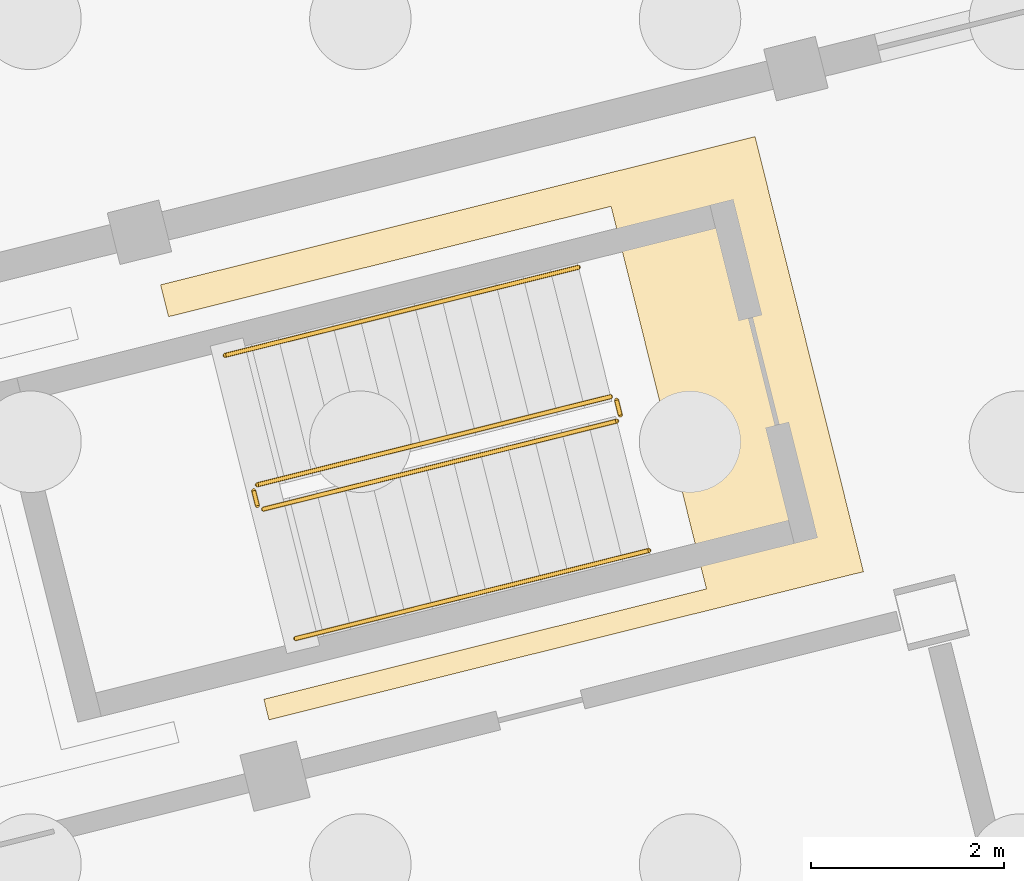
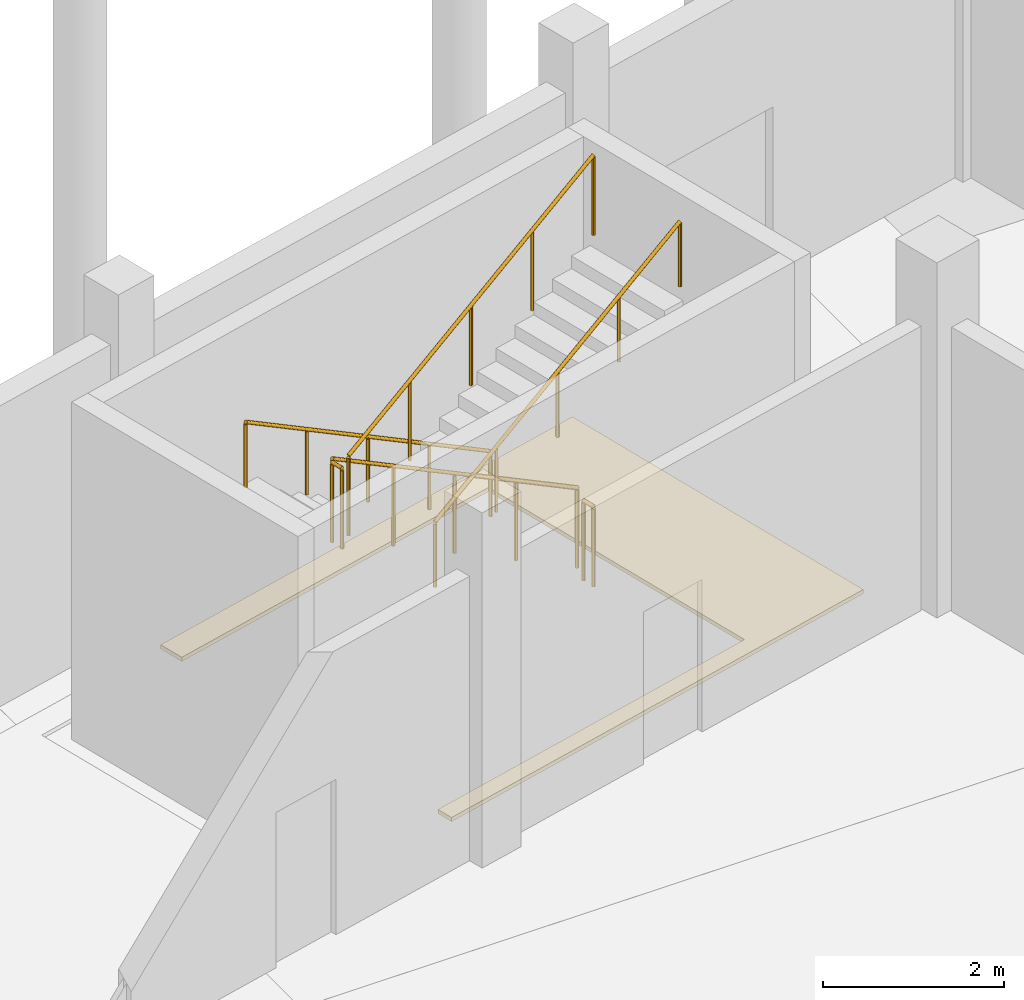
# One storey, part 64 of 72: 6 railings, 1 covering.
"""IFC4 building model written with IfcOpenShell, lengths in metres."""

from ifc_helpers import new_model, si_unit, direction, frame, origin, origin_2d, place, context, subcontext, project, spatial, polyline, circle, outline, extrude, material, layer, layer_set, type_object, element, save


model = new_model("IFC4")

# Units and contexts
model_context = context("Model", 3, precision=1e-05, world=origin(), true_north=direction((0.0, 1.0)))
body_context = subcontext(model_context, "Body", "Model", "MODEL_VIEW")
ifc_project = project(units=[si_unit("LENGTHUNIT", "METRE"), si_unit("AREAUNIT", "SQUARE_METRE"), si_unit("VOLUMEUNIT", "CUBIC_METRE"), si_unit("PLANEANGLEUNIT", "RADIAN"), si_unit("MASSUNIT", "GRAM", prefix="KILO")], contexts=[model_context])

# Site, building, storey
site_placement = place(None, origin())
site = spatial("IfcSite", under=ifc_project, at=site_placement, CompositionType="ELEMENT")
building_placement = place(site_placement, origin())
building = spatial("IfcBuilding", under=site, at=building_placement, Name="Cinderway Yard Community Centre", CompositionType="ELEMENT")
storey_placement = place(building_placement, origin())
storey = spatial("IfcBuildingStorey", under=building, at=storey_placement, Name="L00", CompositionType="ELEMENT", Elevation=0.0)

# Covering
ifc_material_1 = material(Name="Sprung Hardwood Court Floor", Category="wood")
ifc_layer = layer(ifc_material_1, 0.054931640625, Name="Sprung Hardwood Court Floor")
ifc_layer_set = layer_set([ifc_layer], Name="Sprung Hardwood Court Floor")
covering_type = type_object("IfcCoveringType", Name="INT-COV-FLR-SPR", PredefinedType="FLOORING", material=ifc_layer_set)
covering_placement = place(storey_placement, origin())
element("IfcCovering", 1, at=covering_placement, inside=storey, type_object=covering_type, Name="Stage Chair Store Floor Finish", PredefinedType="FLOORING", context=body_context, shape_type="SweptSolid", body=[
    extrude(outline(polyline([(30.248046875, 70.386962890625), (34.827880859375, 71.529052734375), (33.841064453125, 75.488037109375), (29.260986328125, 74.345947265625), (29.178955078125, 74.675048828125), (35.330078125, 76.208984375), (36.451904296875, 71.70703125), (30.301025390625, 70.174072265625), (30.248046875, 70.386962890625)])), origin(), (0.0, 0.0, 1.0), 0.054931640625),
])

# Railings
ifc_material_2 = material(Name="Painted Galvanised Steel", Category="steel")
railing_type_1 = type_object("IfcRailingType", Name="INT-RAL-GRD112", PredefinedType="GUARDRAIL", material=ifc_material_2)
railing_1_placement = place(storey_placement, frame((33.8369140625, 73.5185546875, 0.17138671875)))
element("IfcRailing", 2, at=railing_1_placement, inside=storey, type_object=railing_type_1, Name="L00 ST-06 stair guard 1", PredefinedType="GUARDRAIL", context=body_context, shape_type="SweptSolid", body=[
    extrude(circle(Radius=0.02392578125, at=origin_2d()), frame((0.0, 0.0, 1.076171875), z_axis=(-0.835270426229, -0.208274064766, 0.508866612202), x_axis=(0.241941316319, -0.97029088394, 0.0)), (0.0, 0.0, 1.0), 4.37939453125),
    extrude(circle(Radius=0.02099609375, at=origin_2d()), origin(), (0.0, 0.0, 1.0), 1.052001953125),
    extrude(circle(Radius=0.02099609375, at=origin_2d()), frame((-0.91455078125, -0.22802734375, 0.55712890625)), (0.0, 0.0, 1.0), 1.052001953125),
    extrude(circle(Radius=0.02099609375, at=origin_2d()), frame((-1.8291015625, -0.4560546875, 1.1142578125)), (0.0, 0.0, 1.0), 1.052001953125),
    extrude(circle(Radius=0.02099609375, at=origin_2d()), frame((-2.743408203125, -0.68408203125, 1.67138671875)), (0.0, 0.0, 1.0), 1.052001953125),
    extrude(circle(Radius=0.02099609375, at=origin_2d()), frame((-3.657958984375, -0.912109375, 2.228515625)), (0.0, 0.0, 1.0), 1.052001953125),
])
railing_2_placement = place(storey_placement, frame((30.142578125, 72.545654296875, 2.39990234375)))
element("IfcRailing", 3, at=railing_2_placement, inside=storey, type_object=railing_type_1, Name="L00 ST-06 stair guard 2", PredefinedType="GUARDRAIL", context=body_context, shape_type="SweptSolid", body=[
    extrude(circle(Radius=0.02392578125, at=origin_2d()), frame((0.0, 0.0, 1.076171875), z_axis=(0.241456740594, -0.970411584031, 0.0), x_axis=(0.970411584031, 0.241456740594, 0.0)), (0.0, 0.0, 1.0), 0.15966796875),
    extrude(circle(Radius=0.02099609375, at=origin_2d()), origin(), (0.0, 0.0, 1.0), 1.052001953125),
    extrude(circle(Radius=0.02099609375, at=origin_2d()), frame((0.03857421875, -0.155029296875, 0.0)), (0.0, 0.0, 1.0), 1.052001953125),
])
railing_3_placement = place(storey_placement, frame((30.24169921875, 72.35400390625, 2.571533203125)))
element("IfcRailing", 4, at=railing_3_placement, inside=storey, type_object=railing_type_1, Name="L00 ST-06 stair guard 3", PredefinedType="GUARDRAIL", context=body_context, shape_type="SweptSolid", body=[
    extrude(circle(Radius=0.02392578125, at=origin_2d()), frame((0.0, 0.0, 1.076171875), z_axis=(0.835287278934, 0.208264366931, 0.50884291792), x_axis=(-0.241926114739, 0.970294674317, 0.0)), (0.0, 0.0, 1.0), 4.379638671875),
    extrude(circle(Radius=0.02099609375, at=origin_2d()), origin(), (0.0, 0.0, 1.0), 1.052001953125),
    extrude(circle(Radius=0.02099609375, at=origin_2d()), frame((0.91455078125, 0.22802734375, 0.55712890625)), (0.0, 0.0, 1.0), 1.052001953125),
    extrude(circle(Radius=0.02099609375, at=origin_2d()), frame((1.8291015625, 0.4560546875, 1.1142578125)), (0.0, 0.0, 1.0), 1.052001953125),
    extrude(circle(Radius=0.02099609375, at=origin_2d()), frame((2.74365234375, 0.68408203125, 1.67138671875)), (0.0, 0.0, 1.0), 1.052001953125),
    extrude(circle(Radius=0.02099609375, at=origin_2d()), frame((3.658203125, 0.912109375, 2.228515625)), (0.0, 0.0, 1.0), 1.052001953125),
])
railing_4_placement = place(storey_placement, frame((33.8974609375, 73.48193359375, 0.0)))
element("IfcRailing", 5, at=railing_4_placement, inside=storey, type_object=railing_type_1, Name="L00 ST-06 stair guard 4", PredefinedType="GUARDRAIL", context=body_context, shape_type="SweptSolid", body=[
    extrude(circle(Radius=0.02392578125, at=origin_2d()), frame((0.0, 0.0, 1.076171875), z_axis=(0.242535625036, -0.970142500145, 0.0), x_axis=(0.970142500145, 0.242535625036, 0.0)), (0.0, 0.0, 1.0), 0.16015625),
    extrude(circle(Radius=0.02099609375, at=origin_2d()), origin(), (0.0, 0.0, 1.0), 1.052001953125),
    extrude(circle(Radius=0.02099609375, at=origin_2d()), frame((0.038818359375, -0.1552734375, 0.0)), (0.0, 0.0, 1.0), 1.052001953125),
])
railing_type_2 = type_object("IfcRailingType", Name="INT-RAL-HND090", PredefinedType="HANDRAIL", material=ifc_material_2)
railing_5_placement = place(storey_placement, frame((33.503173828125, 74.857421875, 0.17138671875)))
element("IfcRailing", 6, at=railing_5_placement, inside=storey, type_object=railing_type_2, Name="L00 ST-06 stair handrail 1", PredefinedType="HANDRAIL", context=body_context, shape_type="SweptSolid", body=[
    extrude(circle(Radius=0.02392578125, at=origin_2d()), frame((0.0, 0.0, 0.8759765625), z_axis=(-0.835287278934, -0.208264366931, 0.50884291792), x_axis=(0.241926114739, -0.970294674317, 0.0)), (0.0, 0.0, 1.0), 4.379638671875),
    extrude(circle(Radius=0.02099609375, at=origin_2d()), origin(), (0.0, 0.0, 1.0), 0.851806640625),
    extrude(circle(Radius=0.02099609375, at=origin_2d()), frame((-0.91455078125, -0.22802734375, 0.55712890625)), (0.0, 0.0, 1.0), 0.851806640625),
    extrude(circle(Radius=0.02099609375, at=origin_2d()), frame((-1.8291015625, -0.4560546875, 1.1142578125)), (0.0, 0.0, 1.0), 0.851806640625),
    extrude(circle(Radius=0.02099609375, at=origin_2d()), frame((-2.74365234375, -0.68408203125, 1.67138671875)), (0.0, 0.0, 1.0), 0.851806640625),
    extrude(circle(Radius=0.02099609375, at=origin_2d()), frame((-3.658203125, -0.912109375, 2.228515625)), (0.0, 0.0, 1.0), 0.851806640625),
])
railing_6_placement = place(storey_placement, frame((30.57568359375, 71.01513671875, 2.571533203125)))
element("IfcRailing", 7, at=railing_6_placement, inside=storey, type_object=railing_type_2, Name="L00 ST-06 stair handrail 2", PredefinedType="HANDRAIL", context=body_context, shape_type="SweptSolid", body=[
    extrude(circle(Radius=0.02392578125, at=origin_2d()), frame((0.0, 0.0, 0.8759765625), z_axis=(0.835270426229, 0.208274064766, 0.508866612202), x_axis=(-0.241941316319, 0.97029088394, 0.0)), (0.0, 0.0, 1.0), 4.37939453125),
    extrude(circle(Radius=0.02099609375, at=origin_2d()), origin(), (0.0, 0.0, 1.0), 0.851806640625),
    extrude(circle(Radius=0.02099609375, at=origin_2d()), frame((0.91455078125, 0.22802734375, 0.55712890625)), (0.0, 0.0, 1.0), 0.851806640625),
    extrude(circle(Radius=0.02099609375, at=origin_2d()), frame((1.8291015625, 0.4560546875, 1.1142578125)), (0.0, 0.0, 1.0), 0.851806640625),
    extrude(circle(Radius=0.02099609375, at=origin_2d()), frame((2.743408203125, 0.68408203125, 1.67138671875)), (0.0, 0.0, 1.0), 0.851806640625),
    extrude(circle(Radius=0.02099609375, at=origin_2d()), frame((3.657958984375, 0.912109375, 2.228515625)), (0.0, 0.0, 1.0), 0.851806640625),
])

save(model, "model.ifc")
